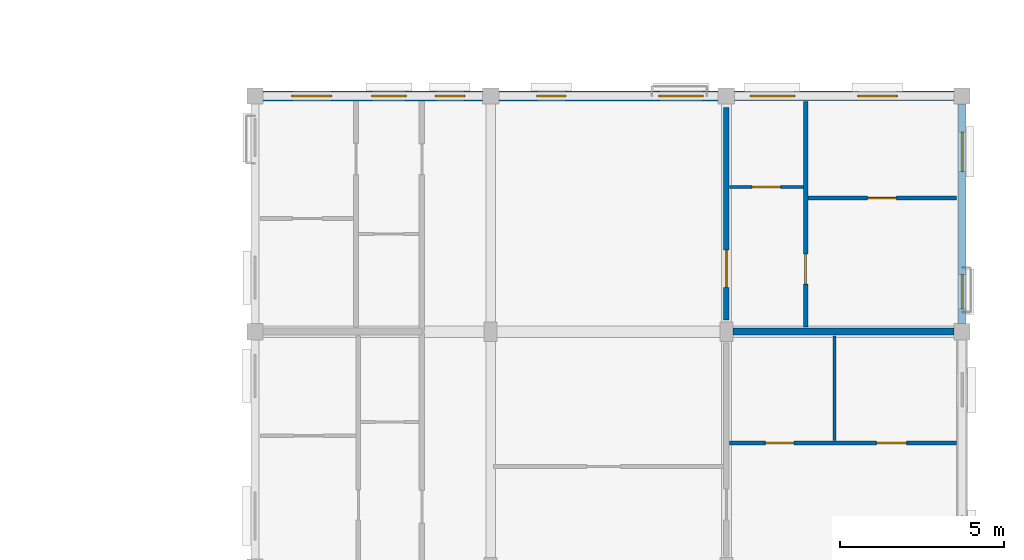
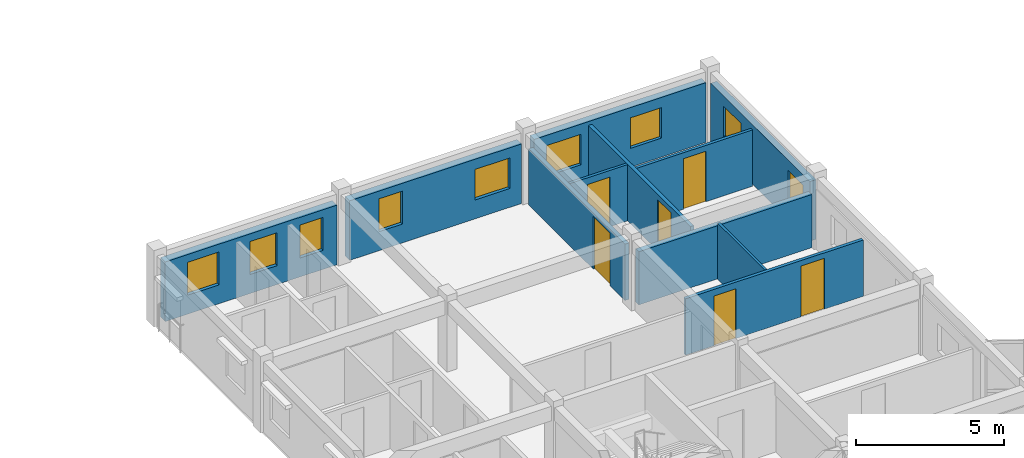
# One storey, part 51 of 64: 11 walls, 9 windows, 6 doors, 15 openings.
"""IFC4 building model written with IfcOpenShell, lengths in metres."""

from ifc_helpers import new_model, si_unit, direction, frame, frame_2d, origin, place, context, subcontext, project, spatial, rectangle, extrude, material, layer, layer_set, type_object, element, fill, save


model = new_model("IFC4")

# Units and contexts
model_context = context("Model", 3, precision=1e-05, world=origin(), true_north=direction((0.0, 1.0)))
body_context = subcontext(model_context, "Body", "Model", "MODEL_VIEW")
ifc_project = project(units=[si_unit("LENGTHUNIT", "METRE"), si_unit("AREAUNIT", "SQUARE_METRE"), si_unit("VOLUMEUNIT", "CUBIC_METRE"), si_unit("PLANEANGLEUNIT", "RADIAN"), si_unit("MASSUNIT", "GRAM", prefix="KILO"), si_unit("THERMODYNAMICTEMPERATUREUNIT", "KELVIN"), si_unit("POWERUNIT", "WATT")], contexts=[model_context])

# Site, building, storey
site_placement = place(None, origin())
site = spatial("IfcSite", under=ifc_project, at=site_placement, CompositionType="ELEMENT")
building_placement = place(site_placement, origin())
building = spatial("IfcBuilding", under=site, at=building_placement, Name="Tavuni Mirador Residences", CompositionType="ELEMENT")
storey_placement = place(building_placement, frame((0.0, 0.0, 26.550048828125)))
storey = spatial("IfcBuildingStorey", under=building, at=storey_placement, Name="L08", CompositionType="ELEMENT", Elevation=26.550048828125)

# Wall, opening, door
ifc_material_1 = material(Name="Precast concrete C40/50", Category="concrete")
ifc_layer_1 = layer(ifc_material_1, 0.1650390625, Name="Precast concrete C40/50", Category="concrete")
ifc_layer_set_1 = layer_set([ifc_layer_1], Name="Precast concrete C40/50")
wall_type_1 = type_object("IfcWallType", Name="WT-CORR165", PredefinedType="PARTITIONING", material=ifc_layer_set_1)
wall_1_placement = place(storey_placement, frame((111.60009765625, 122.75, 0.0), z_axis=(0.0, 0.0, 1.0), x_axis=(0.0, 1.0, 0.0)))
wall_1 = element("IfcWall", 1, at=wall_1_placement, inside=storey, type_object=wall_type_1, Name="CORW-BLK-D-L08-1-05", PredefinedType="PARTITIONING", context=body_context, shape_type="SweptSolid", body=[
    extrude(rectangle(XDim=6.5, YDim=0.1650390625, at=frame_2d((3.25, 0.0))), origin(), (0.0, 0.0, 1.0), 2.324951171875),
])
opening_1_placement = place(wall_1_placement, frame((1.0, 0.0, 0.0)))
opening_1 = element("IfcOpeningElement", 2, at=opening_1_placement, cuts=wall_1, Name="Opening D-20", PredefinedType="OPENING", context=body_context, shape_type="SweptSolid", body=[
    extrude(rectangle(XDim=1.139892578125, YDim=2.179931640625, at=frame_2d((0.56982421875, 1.08984375))), frame((0.0, 0.092529296875, 0.0), z_axis=(0.0, -1.0, 0.0), x_axis=(1.0, 0.0, 0.0)), (0.0, 0.0, 1.0), 0.18505859375),
])
ifc_material_2 = material(Name="Solid core iroko timber", Category="wood")
door_type_1 = type_object("IfcDoorType", Name="DT-FD60-1140", OperationType="NOTDEFINED", PredefinedType="DOOR", material=ifc_material_2)
door_1_placement = place(opening_1_placement, origin())
door_1 = element("IfcDoor", 3, at=door_1_placement, inside=storey, type_object=door_type_1, Name="DR-2912", OperationType="SINGLE_SWING_LEFT", OverallHeight=2.179931640625, OverallWidth=1.139892578125, PredefinedType="DOOR", context=body_context, shape_type="SweptSolid", body=[
    extrude(rectangle(XDim=1.139892578125, YDim=2.179931640625, at=frame_2d((0.56982421875, 1.08984375))), frame((0.0, 0.02490234375, 0.0), z_axis=(0.0, -1.0, 0.0), x_axis=(1.0, 0.0, 0.0)), (0.0, 0.0, 1.0), 0.050048828125),
])
fill(opening_1, door_1)

# Wall, openings, windows
ifc_material_3 = material(Name="Sgraffito lime-rendered precast concrete C40/50", Category="concrete")
ifc_layer_2 = layer(ifc_material_3, 0.2451171875, Name="Sgraffito lime-rendered precast concrete C40/50", Category="concrete")
ifc_layer_set_2 = layer_set([ifc_layer_2], Name="Sgraffito lime-rendered precast concrete C40/50")
wall_type_2 = type_object("IfcWallType", Name="WT-EXT-PC245", PredefinedType="SOLIDWALL", material=ifc_layer_set_2)
wall_2_placement = place(storey_placement, frame((118.800048828125, 122.64990234375, 0.0), z_axis=(0.0, 0.0, 1.0), x_axis=(0.0, 1.0, 0.0)))
wall_2 = element("IfcWall", 4, at=wall_2_placement, inside=storey, type_object=wall_type_2, Name="EW-BLK-D-L08-E05", PredefinedType="SOLIDWALL", context=body_context, shape_type="SweptSolid", body=[
    extrude(rectangle(XDim=6.7001953125, YDim=0.2451171875, at=frame_2d((3.35009765625, 0.0))), origin(), (0.0, 0.0, 1.0), 2.4599609375),
])
opening_2_placement = place(wall_2_placement, frame((0.449951171875, 0.0, 0.780029296875)))
opening_2 = element("IfcOpeningElement", 5, at=opening_2_placement, cuts=wall_2, Name="Opening WN-11", PredefinedType="OPENING", context=body_context, shape_type="SweptSolid", body=[
    extrude(rectangle(XDim=1.0400390625, YDim=1.260009765625, at=frame_2d((0.52001953125, 0.6298828125))), frame((0.0, 0.132568359375, 0.0), z_axis=(0.0, -1.0, 0.0), x_axis=(1.0, 0.0, 0.0)), (0.0, 0.0, 1.0), 0.26513671875),
])
opening_3_placement = place(wall_2_placement, frame((4.64990234375, 0.0, 0.780029296875)))
opening_3 = element("IfcOpeningElement", 6, at=opening_3_placement, cuts=wall_2, Name="Opening WN-13", PredefinedType="OPENING", context=body_context, shape_type="SweptSolid", body=[
    extrude(rectangle(XDim=1.199951171875, YDim=1.260009765625, at=frame_2d((0.60009765625, 0.6298828125))), frame((0.0, 0.132568359375, 0.0), z_axis=(0.0, -1.0, 0.0), x_axis=(1.0, 0.0, 0.0)), (0.0, 0.0, 1.0), 0.26513671875),
])
ifc_material_4 = material(Name="Laminated solar-control glass", Category="glass")
window_type_1 = type_object("IfcWindowType", Name="WNT-11", PartitioningType="SINGLE_PANEL", PredefinedType="WINDOW", material=ifc_material_4)
window_1_placement = place(opening_2_placement, origin())
window_1 = element("IfcWindow", 7, at=window_1_placement, inside=storey, type_object=window_type_1, Name="WIN-1742", OverallHeight=1.260009765625, OverallWidth=1.0400390625, PartitioningType="SINGLE_PANEL", PredefinedType="WINDOW", context=body_context, shape_type="SweptSolid", body=[
    extrude(rectangle(XDim=1.0400390625, YDim=1.260009765625, at=frame_2d((0.52001953125, 0.6298828125))), frame((0.0, 0.030029296875, 0.0), z_axis=(0.0, -1.0, 0.0), x_axis=(1.0, 0.0, 0.0)), (0.0, 0.0, 1.0), 0.06005859375),
])
fill(opening_2, window_1)
window_type_2 = type_object("IfcWindowType", Name="WNT-13", PartitioningType="SINGLE_PANEL", PredefinedType="WINDOW", material=ifc_material_4)
window_2_placement = place(opening_3_placement, origin())
window_2 = element("IfcWindow", 8, at=window_2_placement, inside=storey, type_object=window_type_2, Name="WIN-1743", OverallHeight=1.260009765625, OverallWidth=1.199951171875, PartitioningType="SINGLE_PANEL", PredefinedType="WINDOW", context=body_context, shape_type="SweptSolid", body=[
    extrude(rectangle(XDim=1.199951171875, YDim=1.260009765625, at=frame_2d((0.60009765625, 0.6298828125))), frame((0.0, 0.030029296875, 0.0), z_axis=(0.0, -1.0, 0.0), x_axis=(1.0, 0.0, 0.0)), (0.0, 0.0, 1.0), 0.06005859375),
])
fill(opening_3, window_2)

ifc_layer_3 = layer(ifc_material_3, 0.2900390625, Name="Sgraffito lime-rendered precast concrete C40/50", Category="concrete")
ifc_layer_set_3 = layer_set([ifc_layer_3], Name="Sgraffito lime-rendered precast concrete C40/50")
wall_type_3 = type_object("IfcWallType", Name="WT-EXT-PC290", PredefinedType="SOLIDWALL", material=ifc_layer_set_3)
wall_3_placement = place(storey_placement, frame((118.550048828125, 129.60009765625, 0.0), z_axis=(0.0, 0.0, 1.0), x_axis=(-1.0, 0.0, 0.0)))
wall_3 = element("IfcWall", 9, at=wall_3_placement, inside=storey, type_object=wall_type_3, Name="EW-BLK-D-L08-N02", PredefinedType="SOLIDWALL", context=body_context, shape_type="SweptSolid", body=[
    extrude(rectangle(XDim=6.699951171875, YDim=0.2900390625, at=frame_2d((3.35009765625, 0.0))), origin(), (0.0, 0.0, 1.0), 2.4599609375),
])
opening_4_placement = place(wall_3_placement, frame((1.735107421875, 0.0, 0.780029296875)))
opening_4 = element("IfcOpeningElement", 10, at=opening_4_placement, cuts=wall_3, Name="Opening WN-13", PredefinedType="OPENING", context=body_context, shape_type="SweptSolid", body=[
    extrude(rectangle(XDim=1.199951171875, YDim=1.260009765625, at=frame_2d((0.60009765625, 0.6298828125))), frame((0.0, 0.155029296875, 0.0), z_axis=(0.0, -1.0, 0.0), x_axis=(1.0, 0.0, 0.0)), (0.0, 0.0, 1.0), 0.31005859375),
])
opening_5_placement = place(wall_3_placement, frame((4.864990234375, 0.0, 0.780029296875)))
opening_5 = element("IfcOpeningElement", 11, at=opening_5_placement, cuts=wall_3, Name="Opening WN-15", PredefinedType="OPENING", context=body_context, shape_type="SweptSolid", body=[
    extrude(rectangle(XDim=1.360107421875, YDim=1.260009765625, at=frame_2d((0.68017578125, 0.6298828125))), frame((0.0, 0.155029296875, 0.0), z_axis=(0.0, -1.0, 0.0), x_axis=(1.0, 0.0, 0.0)), (0.0, 0.0, 1.0), 0.31005859375),
])
window_3_placement = place(opening_4_placement, origin())
window_3 = element("IfcWindow", 12, at=window_3_placement, inside=storey, type_object=window_type_2, Name="WIN-1744", OverallHeight=1.260009765625, OverallWidth=1.199951171875, PartitioningType="SINGLE_PANEL", PredefinedType="WINDOW", context=body_context, shape_type="SweptSolid", body=[
    extrude(rectangle(XDim=1.199951171875, YDim=1.260009765625, at=frame_2d((0.60009765625, 0.6298828125))), frame((0.0, 0.030029296875, 0.0), z_axis=(0.0, -1.0, 0.0), x_axis=(1.0, 0.0, 0.0)), (0.0, 0.0, 1.0), 0.06005859375),
])
fill(opening_4, window_3)
window_type_3 = type_object("IfcWindowType", Name="WNT-15", PartitioningType="SINGLE_PANEL", PredefinedType="WINDOW", material=ifc_material_4)
window_4_placement = place(opening_5_placement, origin())
window_4 = element("IfcWindow", 13, at=window_4_placement, inside=storey, type_object=window_type_3, Name="WIN-1745", OverallHeight=1.260009765625, OverallWidth=1.360107421875, PartitioningType="SINGLE_PANEL", PredefinedType="WINDOW", context=body_context, shape_type="SweptSolid", body=[
    extrude(rectangle(XDim=1.360107421875, YDim=1.260009765625, at=frame_2d((0.68017578125, 0.6298828125))), frame((0.0, 0.030029296875, 0.0), z_axis=(0.0, -1.0, 0.0), x_axis=(1.0, 0.0, 0.0)), (0.0, 0.0, 1.0), 0.06005859375),
])
fill(opening_5, window_4)

ifc_layer_4 = layer(ifc_material_3, 0.304931640625, Name="Sgraffito lime-rendered precast concrete C40/50", Category="concrete")
ifc_layer_set_4 = layer_set([ifc_layer_4], Name="Sgraffito lime-rendered precast concrete C40/50")
wall_type_4 = type_object("IfcWallType", Name="WT-EXT-PC305", PredefinedType="SOLIDWALL", material=ifc_layer_set_4)
wall_4_placement = place(storey_placement, frame((111.35009765625, 129.60009765625, 0.0), z_axis=(0.0, 0.0, 1.0), x_axis=(-1.0, 0.0, 0.0)))
wall_4 = element("IfcWall", 14, at=wall_4_placement, inside=storey, type_object=wall_type_4, Name="EW-BLK-D-L08-N01", PredefinedType="SOLIDWALL", context=body_context, shape_type="SweptSolid", body=[
    extrude(rectangle(XDim=6.7001953125, YDim=0.304931640625, at=frame_2d((3.35009765625, 0.0))), origin(), (0.0, 0.0, 1.0), 2.4599609375),
])
opening_6_placement = place(wall_4_placement, frame((0.449951171875, 0.0, 0.780029296875)))
opening_6 = element("IfcOpeningElement", 15, at=opening_6_placement, cuts=wall_4, Name="Opening WN-15", PredefinedType="OPENING", context=body_context, shape_type="SweptSolid", body=[
    extrude(rectangle(XDim=1.360107421875, YDim=1.260009765625, at=frame_2d((0.68017578125, 0.6298828125))), frame((0.0, 0.16259765625, 0.0), z_axis=(0.0, -1.0, 0.0), x_axis=(1.0, 0.0, 0.0)), (0.0, 0.0, 1.0), 0.324951171875),
])
opening_7_placement = place(wall_4_placement, frame((4.64990234375, 0.0, 0.780029296875)))
opening_7 = element("IfcOpeningElement", 16, at=opening_7_placement, cuts=wall_4, Name="Opening WN-17", PredefinedType="OPENING", context=body_context, shape_type="SweptSolid", body=[
    extrude(rectangle(XDim=0.89990234375, YDim=1.360107421875, at=frame_2d((0.449951171875, 0.68017578125))), frame((0.0, 0.16259765625, 0.0), z_axis=(0.0, -1.0, 0.0), x_axis=(1.0, 0.0, 0.0)), (0.0, 0.0, 1.0), 0.324951171875),
])
window_5_placement = place(opening_6_placement, origin())
window_5 = element("IfcWindow", 17, at=window_5_placement, inside=storey, type_object=window_type_3, Name="WIN-1746", OverallHeight=1.260009765625, OverallWidth=1.360107421875, PartitioningType="SINGLE_PANEL", PredefinedType="WINDOW", context=body_context, shape_type="SweptSolid", body=[
    extrude(rectangle(XDim=1.360107421875, YDim=1.260009765625, at=frame_2d((0.68017578125, 0.6298828125))), frame((0.0, 0.030029296875, 0.0), z_axis=(0.0, -1.0, 0.0), x_axis=(1.0, 0.0, 0.0)), (0.0, 0.0, 1.0), 0.06005859375),
])
fill(opening_6, window_5)
window_type_4 = type_object("IfcWindowType", Name="WNT-17", PartitioningType="SINGLE_PANEL", PredefinedType="WINDOW", material=ifc_material_4)
window_6_placement = place(opening_7_placement, origin())
window_6 = element("IfcWindow", 18, at=window_6_placement, inside=storey, type_object=window_type_4, Name="WIN-1747", OverallHeight=1.360107421875, OverallWidth=0.89990234375, PartitioningType="SINGLE_PANEL", PredefinedType="WINDOW", context=body_context, shape_type="SweptSolid", body=[
    extrude(rectangle(XDim=0.89990234375, YDim=1.360107421875, at=frame_2d((0.449951171875, 0.68017578125))), frame((0.0, 0.030029296875, 0.0), z_axis=(0.0, -1.0, 0.0), x_axis=(1.0, 0.0, 0.0)), (0.0, 0.0, 1.0), 0.06005859375),
])
fill(opening_7, window_6)

ifc_layer_5 = layer(ifc_material_3, 0.31494140625, Name="Sgraffito lime-rendered precast concrete C40/50", Category="concrete")
ifc_layer_set_5 = layer_set([ifc_layer_5], Name="Sgraffito lime-rendered precast concrete C40/50")
wall_type_5 = type_object("IfcWallType", Name="WT-EXT-PC315", PredefinedType="SOLIDWALL", material=ifc_layer_set_5)
wall_5_placement = place(storey_placement, frame((104.14990234375, 129.60009765625, 0.0), z_axis=(0.0, 0.0, 1.0), x_axis=(-1.0, 0.0, 0.0)))
wall_5 = element("IfcWall", 19, at=wall_5_placement, inside=storey, type_object=wall_type_5, Name="EW-BLK-D-L08-N00", PredefinedType="SOLIDWALL", context=body_context, shape_type="SweptSolid", body=[
    extrude(rectangle(XDim=6.699951171875, YDim=0.31494140625, at=frame_2d((3.35009765625, 0.0))), origin(), (0.0, 0.0, 1.0), 2.4599609375),
])
opening_8_placement = place(wall_5_placement, frame((0.544921875, 0.0, 0.780029296875)))
opening_8 = element("IfcOpeningElement", 20, at=opening_8_placement, cuts=wall_5, Name="Opening WN-17", PredefinedType="OPENING", context=body_context, shape_type="SweptSolid", body=[
    extrude(rectangle(XDim=0.89990234375, YDim=1.360107421875, at=frame_2d((0.449951171875, 0.68017578125))), frame((0.0, 0.16748046875, 0.0), z_axis=(0.0, -1.0, 0.0), x_axis=(1.0, 0.0, 0.0)), (0.0, 0.0, 1.0), 0.3349609375),
])
opening_9_placement = place(wall_5_placement, frame((2.330078125, 0.0, 0.780029296875)))
opening_9 = element("IfcOpeningElement", 21, at=opening_9_placement, cuts=wall_5, Name="Opening WN-19", PredefinedType="OPENING", context=body_context, shape_type="SweptSolid", body=[
    extrude(rectangle(XDim=1.06005859375, YDim=1.360107421875, at=frame_2d((0.530029296875, 0.68017578125))), frame((0.0, 0.16748046875, 0.0), z_axis=(0.0, -1.0, 0.0), x_axis=(1.0, 0.0, 0.0)), (0.0, 0.0, 1.0), 0.3349609375),
])
opening_10_placement = place(wall_5_placement, frame((4.60498046875, 0.0, 0.780029296875)))
opening_10 = element("IfcOpeningElement", 22, at=opening_10_placement, cuts=wall_5, Name="Opening WN-21", PredefinedType="OPENING", context=body_context, shape_type="SweptSolid", body=[
    extrude(rectangle(XDim=1.219970703125, YDim=1.360107421875, at=frame_2d((0.60986328125, 0.68017578125))), frame((0.0, 0.16748046875, 0.0), z_axis=(0.0, -1.0, 0.0), x_axis=(1.0, 0.0, 0.0)), (0.0, 0.0, 1.0), 0.3349609375),
])
window_7_placement = place(opening_8_placement, origin())
window_7 = element("IfcWindow", 23, at=window_7_placement, inside=storey, type_object=window_type_4, Name="WIN-1748", OverallHeight=1.360107421875, OverallWidth=0.89990234375, PartitioningType="SINGLE_PANEL", PredefinedType="WINDOW", context=body_context, shape_type="SweptSolid", body=[
    extrude(rectangle(XDim=0.89990234375, YDim=1.360107421875, at=frame_2d((0.449951171875, 0.68017578125))), frame((0.0, 0.030029296875, 0.0), z_axis=(0.0, -1.0, 0.0), x_axis=(1.0, 0.0, 0.0)), (0.0, 0.0, 1.0), 0.06005859375),
])
fill(opening_8, window_7)
window_type_5 = type_object("IfcWindowType", Name="WNT-19", PartitioningType="SINGLE_PANEL", PredefinedType="WINDOW", material=ifc_material_4)
window_8_placement = place(opening_9_placement, origin())
window_8 = element("IfcWindow", 24, at=window_8_placement, inside=storey, type_object=window_type_5, Name="WIN-1749", OverallHeight=1.360107421875, OverallWidth=1.06005859375, PartitioningType="SINGLE_PANEL", PredefinedType="WINDOW", context=body_context, shape_type="SweptSolid", body=[
    extrude(rectangle(XDim=1.06005859375, YDim=1.360107421875, at=frame_2d((0.530029296875, 0.68017578125))), frame((0.0, 0.030029296875, 0.0), z_axis=(0.0, -1.0, 0.0), x_axis=(1.0, 0.0, 0.0)), (0.0, 0.0, 1.0), 0.06005859375),
])
fill(opening_9, window_8)
window_type_6 = type_object("IfcWindowType", Name="WNT-21", PartitioningType="SINGLE_PANEL", PredefinedType="WINDOW", material=ifc_material_4)
window_9_placement = place(opening_10_placement, origin())
window_9 = element("IfcWindow", 25, at=window_9_placement, inside=storey, type_object=window_type_6, Name="WIN-1750", OverallHeight=1.360107421875, OverallWidth=1.219970703125, PartitioningType="SINGLE_PANEL", PredefinedType="WINDOW", context=body_context, shape_type="SweptSolid", body=[
    extrude(rectangle(XDim=1.219970703125, YDim=1.360107421875, at=frame_2d((0.60986328125, 0.68017578125))), frame((0.0, 0.030029296875, 0.0), z_axis=(0.0, -1.0, 0.0), x_axis=(1.0, 0.0, 0.0)), (0.0, 0.0, 1.0), 0.06005859375),
])
fill(opening_10, window_9)

# Wall
ifc_material_5 = material(Name="Acoustic gypsum and concrete block partition", Category="concrete")
ifc_layer_6 = layer(ifc_material_5, 0.094970703125, Name="Acoustic gypsum and concrete block partition", Category="concrete")
ifc_layer_set_6 = layer_set([ifc_layer_6], Name="Acoustic gypsum and concrete block partition")
wall_type_6 = type_object("IfcWallType", Name="WT-PART095", PredefinedType="PARTITIONING", material=ifc_layer_set_6)
wall_6_placement = place(storey_placement, frame((114.89990234375, 119.070068359375, 0.0), z_axis=(0.0, 0.0, 1.0), x_axis=(0.0, 1.0, 0.0)))
element("IfcWall", 26, at=wall_6_placement, inside=storey, type_object=wall_type_6, Name="PW-BLK-D-L08-PF04-V", PredefinedType="PARTITIONING", context=body_context, shape_type="SweptSolid", body=[
    extrude(rectangle(XDim=3.18994140625, YDim=0.094970703125, at=frame_2d((1.594970703125, 0.0))), origin(), (0.0, 0.0, 1.0), 2.324951171875),
])

# Wall, opening, door
ifc_layer_7 = layer(ifc_material_5, 0.10498046875, Name="Acoustic gypsum and concrete block partition", Category="concrete")
ifc_layer_set_7 = layer_set([ifc_layer_7], Name="Acoustic gypsum and concrete block partition")
wall_type_7 = type_object("IfcWallType", Name="WT-PART105", PredefinedType="PARTITIONING", material=ifc_layer_set_7)
wall_7_placement = place(storey_placement, frame((111.68994140625, 126.820068359375, 0.0), z_axis=(0.0, 0.0, 1.0), x_axis=(1.0, 0.0, 0.0)))
wall_7 = element("IfcWall", 27, at=wall_7_placement, inside=storey, type_object=wall_type_7, Name="PW-BLK-D-L08-E05-IN1", PredefinedType="PARTITIONING", context=body_context, shape_type="SweptSolid", body=[
    extrude(rectangle(XDim=2.260009765625, YDim=0.10498046875, at=frame_2d((1.1298828125, 0.0))), origin(), (0.0, 0.0, 1.0), 2.324951171875),
])
opening_11_placement = place(wall_7_placement, frame((0.695068359375, 0.0, 0.0)))
opening_11 = element("IfcOpeningElement", 28, at=opening_11_placement, cuts=wall_7, Name="Opening D-10", PredefinedType="OPENING", context=body_context, shape_type="SweptSolid", body=[
    extrude(rectangle(XDim=0.8701171875, YDim=2.050048828125, at=frame_2d((0.43505859375, 1.02490234375))), frame((0.0, 0.0625, 0.0), z_axis=(0.0, -1.0, 0.0), x_axis=(1.0, 0.0, 0.0)), (0.0, 0.0, 1.0), 0.125),
])
door_type_2 = type_object("IfcDoorType", Name="DT-WC870", OperationType="NOTDEFINED", PredefinedType="DOOR", material=ifc_material_2)
door_2_placement = place(opening_11_placement, origin())
door_2 = element("IfcDoor", 29, at=door_2_placement, inside=storey, type_object=door_type_2, Name="DR-4612", OperationType="SINGLE_SWING_LEFT", OverallHeight=2.050048828125, OverallWidth=0.8701171875, PredefinedType="DOOR", context=body_context, shape_type="SweptSolid", body=[
    extrude(rectangle(XDim=0.8701171875, YDim=2.050048828125, at=frame_2d((0.43505859375, 1.02490234375))), frame((0.0, 0.02490234375, 0.0), z_axis=(0.0, -1.0, 0.0), x_axis=(1.0, 0.0, 0.0)), (0.0, 0.0, 1.0), 0.050048828125),
])
fill(opening_11, door_2)

ifc_layer_8 = layer(ifc_material_5, 0.114990234375, Name="Acoustic gypsum and concrete block partition", Category="concrete")
ifc_layer_set_8 = layer_set([ifc_layer_8], Name="Acoustic gypsum and concrete block partition")
wall_type_8 = type_object("IfcWallType", Name="WT-PART115", PredefinedType="PARTITIONING", material=ifc_layer_set_8)
wall_8_placement = place(storey_placement, frame((114.090087890625, 126.47998046875, 0.0), z_axis=(0.0, 0.0, 1.0), x_axis=(1.0, 0.0, 0.0)))
wall_8 = element("IfcWall", 30, at=wall_8_placement, inside=storey, type_object=wall_type_8, Name="PW-BLK-D-L08-E05-OUT", PredefinedType="PARTITIONING", context=body_context, shape_type="SweptSolid", body=[
    extrude(rectangle(XDim=4.534912109375, YDim=0.114990234375, at=frame_2d((2.267578125, 0.0))), origin(), (0.0, 0.0, 1.0), 2.324951171875),
])
opening_12_placement = place(wall_8_placement, frame((1.827392578125, 0.0, 0.0)))
opening_12 = element("IfcOpeningElement", 31, at=opening_12_placement, cuts=wall_8, Name="Opening D-08", PredefinedType="OPENING", context=body_context, shape_type="SweptSolid", body=[
    extrude(rectangle(XDim=0.8798828125, YDim=2.080078125, at=frame_2d((0.43994140625, 1.0400390625))), frame((0.0, 0.0673828125, 0.0), z_axis=(0.0, -1.0, 0.0), x_axis=(1.0, 0.0, 0.0)), (0.0, 0.0, 1.0), 0.135009765625),
])
door_type_3 = type_object("IfcDoorType", Name="DT-BED880", OperationType="NOTDEFINED", PredefinedType="DOOR", material=ifc_material_2)
door_3_placement = place(opening_12_placement, origin())
door_3 = element("IfcDoor", 32, at=door_3_placement, inside=storey, type_object=door_type_3, Name="DR-4611", OperationType="SINGLE_SWING_RIGHT", OverallHeight=2.080078125, OverallWidth=0.8798828125, PredefinedType="DOOR", context=body_context, shape_type="SweptSolid", body=[
    extrude(rectangle(XDim=0.8798828125, YDim=2.080078125, at=frame_2d((0.43994140625, 1.0400390625))), frame((0.0, 0.02490234375, 0.0), z_axis=(0.0, -1.0, 0.0), x_axis=(1.0, 0.0, 0.0)), (0.0, 0.0, 1.0), 0.050048828125),
])
fill(opening_12, door_3)

# Wall, openings, doors
ifc_layer_9 = layer(ifc_material_5, 0.125, Name="Acoustic gypsum and concrete block partition", Category="concrete")
ifc_layer_set_9 = layer_set([ifc_layer_9], Name="Acoustic gypsum and concrete block partition")
wall_type_9 = type_object("IfcWallType", Name="WT-PART125", PredefinedType="PARTITIONING", material=ifc_layer_set_9)
wall_9_placement = place(storey_placement, frame((111.68994140625, 119.0, 0.0), z_axis=(0.0, 0.0, 1.0), x_axis=(1.0, 0.0, 0.0)))
wall_9 = element("IfcWall", 33, at=wall_9_placement, inside=storey, type_object=wall_type_9, Name="PW-BLK-D-L08-PF04-H", PredefinedType="PARTITIONING", context=body_context, shape_type="SweptSolid", body=[
    extrude(rectangle(XDim=6.93505859375, YDim=0.125, at=frame_2d((3.467529296875, 0.0))), origin(), (0.0, 0.0, 1.0), 2.324951171875),
])
opening_13_placement = place(wall_9_placement, frame((1.10009765625, 0.0, 0.0)))
opening_13 = element("IfcOpeningElement", 34, at=opening_13_placement, cuts=wall_9, Name="Opening D-10", PredefinedType="OPENING", context=body_context, shape_type="SweptSolid", body=[
    extrude(rectangle(XDim=0.8701171875, YDim=2.050048828125, at=frame_2d((0.43505859375, 1.02490234375))), frame((0.0, 0.072509765625, 0.0), z_axis=(0.0, -1.0, 0.0), x_axis=(1.0, 0.0, 0.0)), (0.0, 0.0, 1.0), 0.14501953125),
])
opening_14_placement = place(wall_9_placement, frame((4.5, 0.0, 0.0)))
opening_14 = element("IfcOpeningElement", 35, at=opening_14_placement, cuts=wall_9, Name="Opening D-06", PredefinedType="OPENING", context=body_context, shape_type="SweptSolid", body=[
    extrude(rectangle(XDim=0.919921875, YDim=2.10009765625, at=frame_2d((0.4599609375, 1.050048828125))), frame((0.0, 0.072509765625, 0.0), z_axis=(0.0, -1.0, 0.0), x_axis=(1.0, 0.0, 0.0)), (0.0, 0.0, 1.0), 0.14501953125),
])
door_type_4 = type_object("IfcDoorType", Name="DT-INT920", OperationType="NOTDEFINED", PredefinedType="DOOR", material=ifc_material_2)
door_4_placement = place(opening_14_placement, origin())
door_4 = element("IfcDoor", 36, at=door_4_placement, inside=storey, type_object=door_type_4, Name="DR-4607", OperationType="SINGLE_SWING_RIGHT", OverallHeight=2.10009765625, OverallWidth=0.919921875, PredefinedType="DOOR", context=body_context, shape_type="SweptSolid", body=[
    extrude(rectangle(XDim=0.919921875, YDim=2.10009765625, at=frame_2d((0.4599609375, 1.050048828125))), frame((0.0, 0.02490234375, 0.0), z_axis=(0.0, -1.0, 0.0), x_axis=(1.0, 0.0, 0.0)), (0.0, 0.0, 1.0), 0.050048828125),
])
fill(opening_14, door_4)
door_5_placement = place(opening_13_placement, origin())
door_5 = element("IfcDoor", 37, at=door_5_placement, inside=storey, type_object=door_type_2, Name="DR-4606", OperationType="SINGLE_SWING_LEFT", OverallHeight=2.050048828125, OverallWidth=0.8701171875, PredefinedType="DOOR", context=body_context, shape_type="SweptSolid", body=[
    extrude(rectangle(XDim=0.8701171875, YDim=2.050048828125, at=frame_2d((0.43505859375, 1.02490234375))), frame((0.0, 0.02490234375, 0.0), z_axis=(0.0, -1.0, 0.0), x_axis=(1.0, 0.0, 0.0)), (0.0, 0.0, 1.0), 0.050048828125),
])
fill(opening_13, door_5)

# Wall, opening, door
ifc_layer_10 = layer(ifc_material_5, 0.139892578125, Name="Acoustic gypsum and concrete block partition", Category="concrete")
ifc_layer_set_10 = layer_set([ifc_layer_10], Name="Acoustic gypsum and concrete block partition")
wall_type_10 = type_object("IfcWallType", Name="WT-PART140", PredefinedType="PARTITIONING", material=ifc_layer_set_10)
wall_10_placement = place(storey_placement, frame((114.02001953125, 122.5400390625, 0.0), z_axis=(0.0, 0.0, 1.0), x_axis=(0.0, 1.0, 0.0)))
wall_10 = element("IfcWall", 38, at=wall_10_placement, inside=storey, type_object=wall_type_10, Name="PW-BLK-D-L08-E05-MID", PredefinedType="PARTITIONING", context=body_context, shape_type="SweptSolid", body=[
    extrude(rectangle(XDim=6.885009765625, YDim=0.139892578125, at=frame_2d((3.4423828125, 0.0))), origin(), (0.0, 0.0, 1.0), 2.324951171875),
])
opening_15_placement = place(wall_10_placement, frame((1.31005859375, 0.0, 0.0)))
opening_15 = element("IfcOpeningElement", 39, at=opening_15_placement, cuts=wall_10, Name="Opening D-06", PredefinedType="OPENING", context=body_context, shape_type="SweptSolid", body=[
    extrude(rectangle(XDim=0.919921875, YDim=2.10009765625, at=frame_2d((0.4599609375, 1.050048828125))), frame((0.0, 0.080078125, 0.0), z_axis=(0.0, -1.0, 0.0), x_axis=(1.0, 0.0, 0.0)), (0.0, 0.0, 1.0), 0.159912109375),
])
door_6_placement = place(opening_15_placement, origin())
door_6 = element("IfcDoor", 40, at=door_6_placement, inside=storey, type_object=door_type_4, Name="DR-4613", OperationType="SINGLE_SWING_RIGHT", OverallHeight=2.10009765625, OverallWidth=0.919921875, PredefinedType="DOOR", context=body_context, shape_type="SweptSolid", body=[
    extrude(rectangle(XDim=0.919921875, YDim=2.10009765625, at=frame_2d((0.4599609375, 1.050048828125))), frame((0.0, 0.02490234375, 0.0), z_axis=(0.0, -1.0, 0.0), x_axis=(1.0, 0.0, 0.0)), (0.0, 0.0, 1.0), 0.050048828125),
])
fill(opening_15, door_6)

# Wall
ifc_layer_11 = layer(ifc_material_1, 0.215087890625, Name="Precast concrete C40/50", Category="concrete")
ifc_layer_set_11 = layer_set([ifc_layer_11], Name="Precast concrete C40/50")
wall_type_11 = type_object("IfcWallType", Name="WT-XW215", PredefinedType="SOLIDWALL", material=ifc_layer_set_11)
wall_11_placement = place(storey_placement, frame((111.800048828125, 122.39990234375, 0.0), z_axis=(0.0, 0.0, 1.0), x_axis=(1.0, 0.0, 0.0)))
element("IfcWall", 41, at=wall_11_placement, inside=storey, type_object=wall_type_11, Name="XW-BLK-D-L08-E-05", PredefinedType="SOLIDWALL", context=body_context, shape_type="SweptSolid", body=[
    extrude(rectangle(XDim=6.75, YDim=0.215087890625, at=frame_2d((3.375, 0.0))), origin(), (0.0, 0.0, 1.0), 2.18994140625),
])

save(model, "model.ifc")
